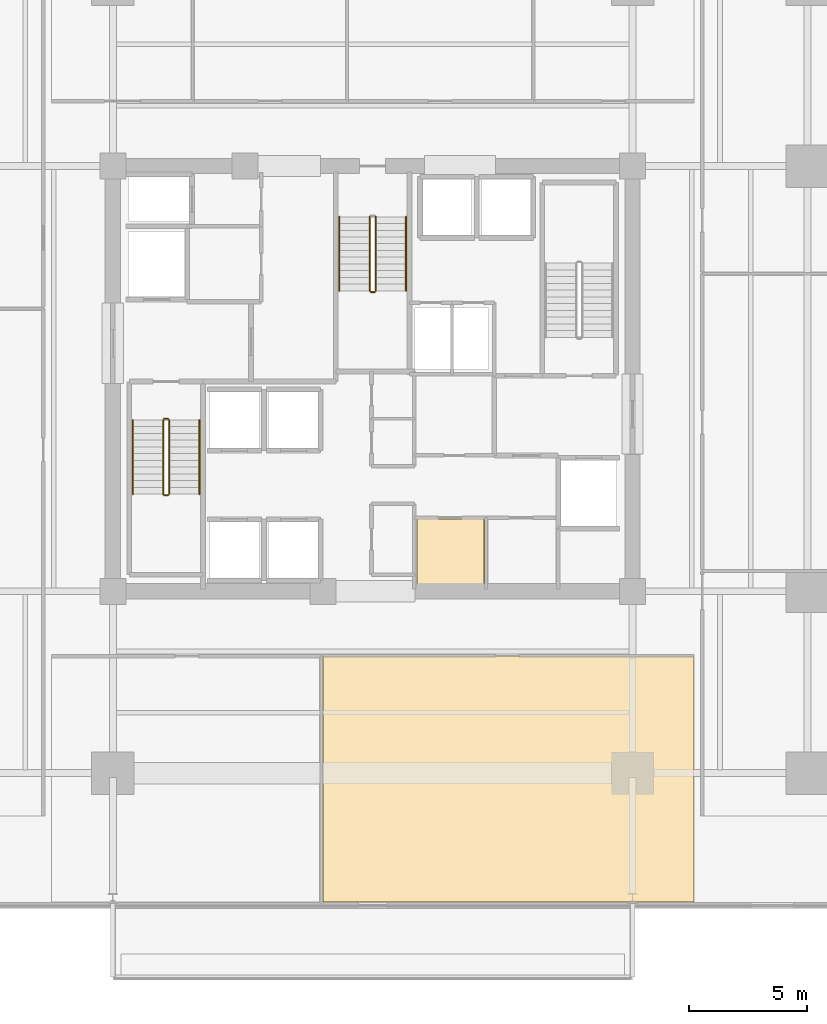
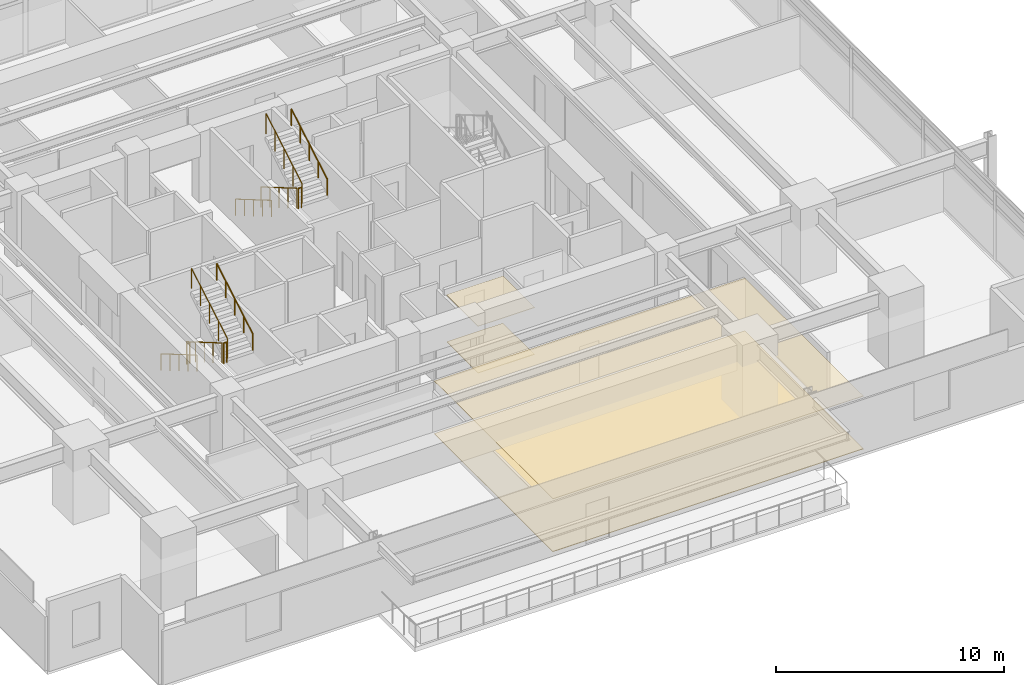
# One storey, part 19 of 22: 11 railings, 4 coverings.
"""IFC4 building model written with IfcOpenShell, lengths in metres."""

from ifc_helpers import new_model, si_unit, direction, frame, origin, origin_2d, place, context, subcontext, project, spatial, polyline, circle, outline, extrude, material, layer, layer_set, type_object, element, save


model = new_model("IFC4")

# Units and contexts
model_context = context("Model", 3, precision=1e-05, world=origin(), true_north=direction((0.0, 1.0)))
body_context = subcontext(model_context, "Body", "Model", "MODEL_VIEW")
ifc_project = project(units=[si_unit("LENGTHUNIT", "METRE"), si_unit("AREAUNIT", "SQUARE_METRE"), si_unit("VOLUMEUNIT", "CUBIC_METRE"), si_unit("PLANEANGLEUNIT", "RADIAN"), si_unit("MASSUNIT", "GRAM", prefix="KILO")], contexts=[model_context])

# Site, building, storey
site_placement = place(None, origin())
site = spatial("IfcSite", under=ifc_project, at=site_placement, CompositionType="ELEMENT")
building_placement = place(site_placement, origin())
building = spatial("IfcBuilding", under=site, at=building_placement, Name="Kovane Verandah Tower", CompositionType="ELEMENT")
storey_placement = place(building_placement, frame((0.0, 0.0, 59.60009765625)))
storey = spatial("IfcBuildingStorey", under=building, at=storey_placement, Name="L13", CompositionType="ELEMENT", Elevation=59.60009765625)

# Coverings
ifc_material_1 = material(Name="Perforated Acoustic Mineral-Fibre Ceiling Tile", Category="gypsum")
ifc_layer_1 = layer(ifc_material_1, 0.02490234375)
ifc_layer_set_1 = layer_set([ifc_layer_1], Name="Perforated Acoustic Mineral-Fibre Ceiling Tile")
covering_type_1 = type_object("IfcCoveringType", Name="CV-CEIL-25", PredefinedType="CEILING", material=ifc_layer_set_1)
covering_1_placement = place(storey_placement, frame((0.0, 0.0, 2.514892578125)))
element("IfcCovering", 1, at=covering_1_placement, inside=storey, type_object=covering_type_1, Name="L13 AV Control Room Acoustic Ceiling", PredefinedType="CEILING", context=body_context, shape_type="SweptSolid", body=[
    extrude(outline(polyline([(41.864990234375, 18.784912109375), (44.735107421875, 18.784912109375), (44.735107421875, 21.56494140625), (41.864990234375, 21.56494140625), (41.864990234375, 18.784912109375)])), origin(), (0.0, 0.0, 1.0), 0.02490234375),
])
covering_2_placement = place(storey_placement, frame((0.0, 0.0, 2.824951171875)))
element("IfcCovering", 2, at=covering_2_placement, inside=storey, type_object=covering_type_1, Name="L13 Document and Print Room S2 Acoustic Ceiling", PredefinedType="CEILING", context=body_context, shape_type="SweptSolid", body=[
    extrude(outline(polyline([(37.89404296875, 5.346435546875), (53.60009765625, 5.346435546875), (53.60009765625, 15.75), (37.89404296875, 15.75), (37.89404296875, 5.346435546875)])), origin(), (0.0, 0.0, 1.0), 0.02490234375),
])
ifc_material_2 = material(Name="Polished Terrazzo and Raised-Access Carpet Tile Finish", Category="concrete")
ifc_layer_2 = layer(ifc_material_2, 0.030029296875)
ifc_layer_set_2 = layer_set([ifc_layer_2], Name="Polished Terrazzo and Raised-Access Carpet Tile Finish")
covering_type_2 = type_object("IfcCoveringType", Name="CV-FLOR-30", PredefinedType="FLOORING", material=ifc_layer_set_2)
covering_3_placement = place(storey_placement, origin())
element("IfcCovering", 3, at=covering_3_placement, inside=storey, type_object=covering_type_2, Name="L13 AV Control Room Floor Finish", PredefinedType="FLOORING", context=body_context, shape_type="SweptSolid", body=[
    extrude(outline(polyline([(41.8798828125, 18.800048828125), (44.719970703125, 18.800048828125), (44.719970703125, 21.550048828125), (41.8798828125, 21.550048828125), (41.8798828125, 18.800048828125)])), origin(), (0.0, 0.0, 1.0), 0.02978515625),
])
covering_4_placement = place(storey_placement, origin())
element("IfcCovering", 4, at=covering_4_placement, inside=storey, type_object=covering_type_2, Name="L13 Document and Print Room S2 Floor Finish", PredefinedType="FLOORING", context=body_context, shape_type="SweptSolid", body=[
    extrude(outline(polyline([(37.89404296875, 5.346435546875), (53.60009765625, 5.346435546875), (53.60009765625, 15.75), (37.89404296875, 15.75), (37.89404296875, 5.346435546875)])), origin(), (0.0, 0.0, 1.0), 0.02978515625),
])

# Railings
ifc_material_3 = material(Name="Brushed Stainless Steel Handrail", Category="steel")
railing_type_1 = type_object("IfcRailingType", Name="RL-HAND-920", PredefinedType="HANDRAIL", material=ifc_material_3)
railing_1_placement = place(storey_placement, frame((29.85009765625, 25.75, 0.16650390625)))
element("IfcRailing", 5, at=railing_1_placement, inside=storey, type_object=railing_type_1, Name="L13 ST-01 stair handrail 1", PredefinedType="HANDRAIL", context=body_context, shape_type="SweptSolid", body=[
    extrude(circle(Radius=0.02392578125, at=origin_2d()), frame((0.0, 0.0, 0.8759765625), z_axis=(0.0, -0.863210265497, 0.504844567704), x_axis=(1.0, 0.0, 0.0)), (0.0, 0.0, 1.0), 3.6318359375),
    extrude(circle(Radius=0.02099609375, at=origin_2d()), origin(), (0.0, 0.0, 1.0), 0.851806640625),
    extrude(circle(Radius=0.02099609375, at=origin_2d()), frame((0.0, -0.78369140625, 0.45849609375)), (0.0, 0.0, 1.0), 0.851806640625),
    extrude(circle(Radius=0.02099609375, at=origin_2d()), frame((0.0, -1.5673828125, 0.916748046875)), (0.0, 0.0, 1.0), 0.851806640625),
    extrude(circle(Radius=0.02099609375, at=origin_2d()), frame((0.0, -2.351318359375, 1.375)), (0.0, 0.0, 1.0), 0.851806640625),
    extrude(circle(Radius=0.02099609375, at=origin_2d()), frame((0.0, -3.135009765625, 1.83349609375)), (0.0, 0.0, 1.0), 0.851806640625),
])
railing_2_placement = place(storey_placement, frame((32.669921875, 22.614990234375, 2.16650390625)))
element("IfcRailing", 6, at=railing_2_placement, inside=storey, type_object=railing_type_1, Name="L13 ST-01 stair handrail 2", PredefinedType="HANDRAIL", context=body_context, shape_type="SweptSolid", body=[
    extrude(circle(Radius=0.02392578125, at=origin_2d()), frame((0.0, 0.0, 0.8759765625), z_axis=(0.0, 0.863210265497, 0.504844567704), x_axis=(-1.0, 0.0, 0.0)), (0.0, 0.0, 1.0), 3.6318359375),
    extrude(circle(Radius=0.02099609375, at=origin_2d()), origin(), (0.0, 0.0, 1.0), 0.851806640625),
    extrude(circle(Radius=0.02099609375, at=origin_2d()), frame((0.0, 0.78369140625, 0.45849609375)), (0.0, 0.0, 1.0), 0.851806640625),
    extrude(circle(Radius=0.02099609375, at=origin_2d()), frame((0.0, 1.5673828125, 0.916748046875)), (0.0, 0.0, 1.0), 0.851806640625),
    extrude(circle(Radius=0.02099609375, at=origin_2d()), frame((0.0, 2.351318359375, 1.375)), (0.0, 0.0, 1.0), 0.851806640625),
    extrude(circle(Radius=0.02099609375, at=origin_2d()), frame((0.0, 3.135009765625, 1.83349609375)), (0.0, 0.0, 1.0), 0.851806640625),
])
railing_3_placement = place(storey_placement, frame((38.590087890625, 34.35009765625, 0.16650390625)))
element("IfcRailing", 7, at=railing_3_placement, inside=storey, type_object=railing_type_1, Name="L13 ST-03 stair handrail 1", PredefinedType="HANDRAIL", context=body_context, shape_type="SweptSolid", body=[
    extrude(circle(Radius=0.02392578125, at=origin_2d()), frame((0.0, 0.0, 0.8759765625), z_axis=(0.0, -0.863210265497, 0.504844567704), x_axis=(1.0, 0.0, 0.0)), (0.0, 0.0, 1.0), 3.6318359375),
    extrude(circle(Radius=0.02099609375, at=origin_2d()), origin(), (0.0, 0.0, 1.0), 0.851806640625),
    extrude(circle(Radius=0.02099609375, at=origin_2d()), frame((0.0, -0.78369140625, 0.45849609375)), (0.0, 0.0, 1.0), 0.851806640625),
    extrude(circle(Radius=0.02099609375, at=origin_2d()), frame((0.0, -1.5673828125, 0.916748046875)), (0.0, 0.0, 1.0), 0.851806640625),
    extrude(circle(Radius=0.02099609375, at=origin_2d()), frame((0.0, -2.351318359375, 1.375)), (0.0, 0.0, 1.0), 0.851806640625),
    extrude(circle(Radius=0.02099609375, at=origin_2d()), frame((0.0, -3.135009765625, 1.83349609375)), (0.0, 0.0, 1.0), 0.851806640625),
])
railing_4_placement = place(storey_placement, frame((41.409912109375, 31.215087890625, 2.16650390625)))
element("IfcRailing", 8, at=railing_4_placement, inside=storey, type_object=railing_type_1, Name="L13 ST-03 stair handrail 2", PredefinedType="HANDRAIL", context=body_context, shape_type="SweptSolid", body=[
    extrude(circle(Radius=0.02392578125, at=origin_2d()), frame((0.0, 0.0, 0.8759765625), z_axis=(0.0, 0.863210265497, 0.504844567704), x_axis=(-1.0, 0.0, 0.0)), (0.0, 0.0, 1.0), 3.6318359375),
    extrude(circle(Radius=0.02099609375, at=origin_2d()), origin(), (0.0, 0.0, 1.0), 0.851806640625),
    extrude(circle(Radius=0.02099609375, at=origin_2d()), frame((0.0, 0.78369140625, 0.45849609375)), (0.0, 0.0, 1.0), 0.851806640625),
    extrude(circle(Radius=0.02099609375, at=origin_2d()), frame((0.0, 1.5673828125, 0.916748046875)), (0.0, 0.0, 1.0), 0.851806640625),
    extrude(circle(Radius=0.02099609375, at=origin_2d()), frame((0.0, 2.351318359375, 1.375)), (0.0, 0.0, 1.0), 0.851806640625),
    extrude(circle(Radius=0.02099609375, at=origin_2d()), frame((0.0, 3.135009765625, 1.83349609375)), (0.0, 0.0, 1.0), 0.851806640625),
])
ifc_material_4 = material(Name="Painted Steel Stairwell Guardrail", Category="steel")
railing_type_2 = type_object("IfcRailingType", Name="RL-STGUARD-1120", PredefinedType="GUARDRAIL", material=ifc_material_4)
railing_5_placement = place(storey_placement, frame((31.1298828125, 25.75, 0.16650390625)))
element("IfcRailing", 9, at=railing_5_placement, inside=storey, type_object=railing_type_2, Name="L13 ST-01 stair guard 1", PredefinedType="GUARDRAIL", context=body_context, shape_type="SweptSolid", body=[
    extrude(circle(Radius=0.02392578125, at=origin_2d()), frame((0.0, 0.0, 1.076171875), z_axis=(0.0, -0.863210265497, 0.504844567704), x_axis=(1.0, 0.0, 0.0)), (0.0, 0.0, 1.0), 3.6318359375),
    extrude(circle(Radius=0.02099609375, at=origin_2d()), origin(), (0.0, 0.0, 1.0), 1.052001953125),
    extrude(circle(Radius=0.02099609375, at=origin_2d()), frame((0.0, -0.78369140625, 0.45849609375)), (0.0, 0.0, 1.0), 1.052001953125),
    extrude(circle(Radius=0.02099609375, at=origin_2d()), frame((0.0, -1.5673828125, 0.916748046875)), (0.0, 0.0, 1.0), 1.052001953125),
    extrude(circle(Radius=0.02099609375, at=origin_2d()), frame((0.0, -2.351318359375, 1.375)), (0.0, 0.0, 1.0), 1.052001953125),
    extrude(circle(Radius=0.02099609375, at=origin_2d()), frame((0.0, -3.135009765625, 1.83349609375)), (0.0, 0.0, 1.0), 1.052001953125),
])
railing_6_placement = place(storey_placement, frame((31.179931640625, 22.56494140625, 2.0)))
element("IfcRailing", 10, at=railing_6_placement, inside=storey, type_object=railing_type_2, Name="L13 ST-01 stair guard 2", PredefinedType="GUARDRAIL", context=body_context, shape_type="SweptSolid", body=[
    extrude(circle(Radius=0.02392578125, at=origin_2d()), frame((0.0, 0.0, 1.076171875), z_axis=(1.0, 0.0, 0.0), x_axis=(0.0, 1.0, 0.0)), (0.0, 0.0, 1.0), 0.16015625),
    extrude(circle(Radius=0.02099609375, at=origin_2d()), origin(), (0.0, 0.0, 1.0), 1.052001953125),
    extrude(circle(Radius=0.02099609375, at=origin_2d()), frame((0.16015625, 0.0, 0.0)), (0.0, 0.0, 1.0), 1.052001953125),
])
railing_7_placement = place(storey_placement, frame((31.389892578125, 22.614990234375, 2.16650390625)))
element("IfcRailing", 11, at=railing_7_placement, inside=storey, type_object=railing_type_2, Name="L13 ST-01 stair guard 3", PredefinedType="GUARDRAIL", context=body_context, shape_type="SweptSolid", body=[
    extrude(circle(Radius=0.02392578125, at=origin_2d()), frame((0.0, 0.0, 1.076171875), z_axis=(0.0, 0.863210265497, 0.504844567704), x_axis=(-1.0, 0.0, 0.0)), (0.0, 0.0, 1.0), 3.6318359375),
    extrude(circle(Radius=0.02099609375, at=origin_2d()), origin(), (0.0, 0.0, 1.0), 1.052001953125),
    extrude(circle(Radius=0.02099609375, at=origin_2d()), frame((0.0, 0.78369140625, 0.45849609375)), (0.0, 0.0, 1.0), 1.052001953125),
    extrude(circle(Radius=0.02099609375, at=origin_2d()), frame((0.0, 1.5673828125, 0.916748046875)), (0.0, 0.0, 1.0), 1.052001953125),
    extrude(circle(Radius=0.02099609375, at=origin_2d()), frame((0.0, 2.351318359375, 1.375)), (0.0, 0.0, 1.0), 1.052001953125),
    extrude(circle(Radius=0.02099609375, at=origin_2d()), frame((0.0, 3.135009765625, 1.83349609375)), (0.0, 0.0, 1.0), 1.052001953125),
])
railing_8_placement = place(storey_placement, frame((31.179931640625, 25.800048828125, 0.0)))
element("IfcRailing", 12, at=railing_8_placement, inside=storey, type_object=railing_type_2, Name="L13 ST-01 stair guard 4", PredefinedType="GUARDRAIL", context=body_context, shape_type="SweptSolid", body=[
    extrude(circle(Radius=0.02392578125, at=origin_2d()), frame((0.0, 0.0, 1.076171875), z_axis=(1.0, 0.0, 0.0), x_axis=(0.0, 1.0, 0.0)), (0.0, 0.0, 1.0), 0.16015625),
    extrude(circle(Radius=0.02099609375, at=origin_2d()), origin(), (0.0, 0.0, 1.0), 1.052001953125),
    extrude(circle(Radius=0.02099609375, at=origin_2d()), frame((0.16015625, 0.0, 0.0)), (0.0, 0.0, 1.0), 1.052001953125),
])
railing_9_placement = place(storey_placement, frame((39.8701171875, 34.35009765625, 0.16650390625)))
element("IfcRailing", 13, at=railing_9_placement, inside=storey, type_object=railing_type_2, Name="L13 ST-03 stair guard 1", PredefinedType="GUARDRAIL", context=body_context, shape_type="SweptSolid", body=[
    extrude(circle(Radius=0.02392578125, at=origin_2d()), frame((0.0, 0.0, 1.076171875), z_axis=(0.0, -0.863210265497, 0.504844567704), x_axis=(1.0, 0.0, 0.0)), (0.0, 0.0, 1.0), 3.6318359375),
    extrude(circle(Radius=0.02099609375, at=origin_2d()), origin(), (0.0, 0.0, 1.0), 1.052001953125),
    extrude(circle(Radius=0.02099609375, at=origin_2d()), frame((0.0, -0.78369140625, 0.45849609375)), (0.0, 0.0, 1.0), 1.052001953125),
    extrude(circle(Radius=0.02099609375, at=origin_2d()), frame((0.0, -1.5673828125, 0.916748046875)), (0.0, 0.0, 1.0), 1.052001953125),
    extrude(circle(Radius=0.02099609375, at=origin_2d()), frame((0.0, -2.351318359375, 1.375)), (0.0, 0.0, 1.0), 1.052001953125),
    extrude(circle(Radius=0.02099609375, at=origin_2d()), frame((0.0, -3.135009765625, 1.83349609375)), (0.0, 0.0, 1.0), 1.052001953125),
])
railing_10_placement = place(storey_placement, frame((39.919921875, 31.1650390625, 2.0)))
element("IfcRailing", 14, at=railing_10_placement, inside=storey, type_object=railing_type_2, Name="L13 ST-03 stair guard 2", PredefinedType="GUARDRAIL", context=body_context, shape_type="SweptSolid", body=[
    extrude(circle(Radius=0.02392578125, at=origin_2d()), frame((0.0, 0.0, 1.076171875), z_axis=(1.0, 0.0, 0.0), x_axis=(0.0, 1.0, 0.0)), (0.0, 0.0, 1.0), 0.16015625),
    extrude(circle(Radius=0.02099609375, at=origin_2d()), origin(), (0.0, 0.0, 1.0), 1.052001953125),
    extrude(circle(Radius=0.02099609375, at=origin_2d()), frame((0.16015625, 0.0, 0.0)), (0.0, 0.0, 1.0), 1.052001953125),
])
railing_11_placement = place(storey_placement, frame((40.1298828125, 31.215087890625, 2.16650390625)))
element("IfcRailing", 15, at=railing_11_placement, inside=storey, type_object=railing_type_2, Name="L13 ST-03 stair guard 3", PredefinedType="GUARDRAIL", context=body_context, shape_type="SweptSolid", body=[
    extrude(circle(Radius=0.02392578125, at=origin_2d()), frame((0.0, 0.0, 1.076171875), z_axis=(0.0, 0.863210265497, 0.504844567704), x_axis=(-1.0, 0.0, 0.0)), (0.0, 0.0, 1.0), 3.6318359375),
    extrude(circle(Radius=0.02099609375, at=origin_2d()), origin(), (0.0, 0.0, 1.0), 1.052001953125),
    extrude(circle(Radius=0.02099609375, at=origin_2d()), frame((0.0, 0.78369140625, 0.45849609375)), (0.0, 0.0, 1.0), 1.052001953125),
    extrude(circle(Radius=0.02099609375, at=origin_2d()), frame((0.0, 1.5673828125, 0.916748046875)), (0.0, 0.0, 1.0), 1.052001953125),
    extrude(circle(Radius=0.02099609375, at=origin_2d()), frame((0.0, 2.351318359375, 1.375)), (0.0, 0.0, 1.0), 1.052001953125),
    extrude(circle(Radius=0.02099609375, at=origin_2d()), frame((0.0, 3.135009765625, 1.83349609375)), (0.0, 0.0, 1.0), 1.052001953125),
])

save(model, "model.ifc")
